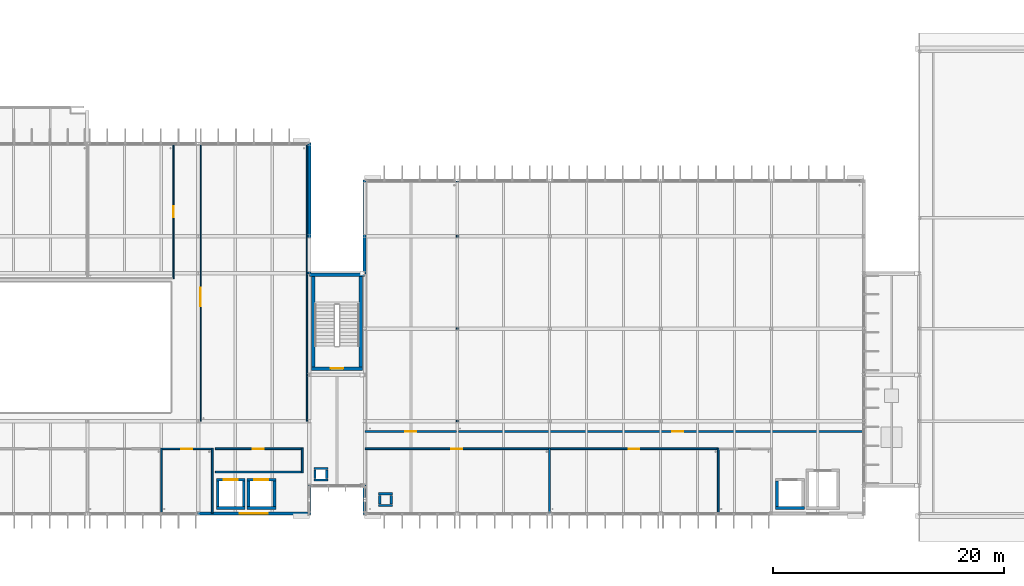
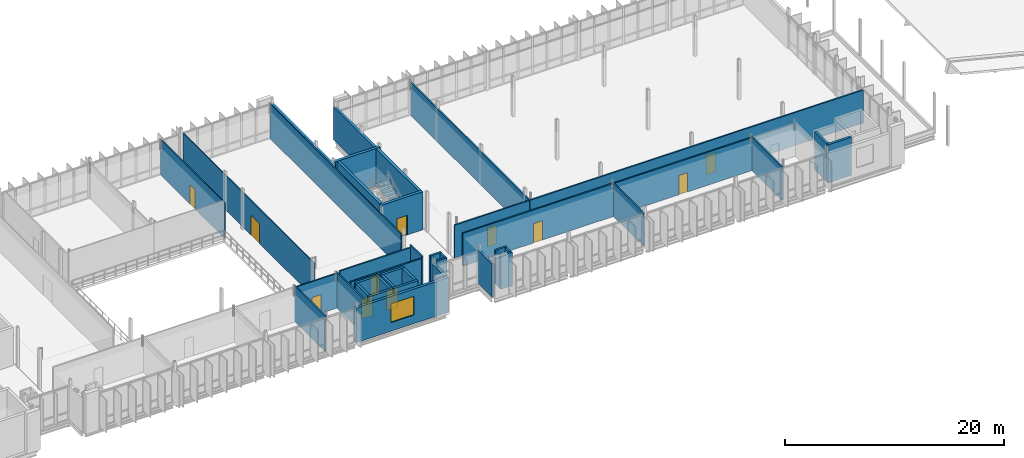
# One storey, part 53 of 93: 43 walls, 11 doors, 1 window, 12 openings.
"""IFC4 building model written with IfcOpenShell, lengths in metres."""

from ifc_helpers import new_model, si_unit, direction, frame, frame_2d, origin, place, context, subcontext, project, spatial, rectangle, extrude, material, layer, layer_set, type_object, element, fill, save


model = new_model("IFC4")

# Units and contexts
model_context = context("Model", 3, precision=1e-05, world=origin(), true_north=direction((0.0, 1.0)))
body_context = subcontext(model_context, "Body", "Model", "MODEL_VIEW")
ifc_project = project(units=[si_unit("LENGTHUNIT", "METRE"), si_unit("AREAUNIT", "SQUARE_METRE"), si_unit("VOLUMEUNIT", "CUBIC_METRE"), si_unit("PLANEANGLEUNIT", "RADIAN"), si_unit("MASSUNIT", "GRAM", prefix="KILO")], contexts=[model_context])

# Site, building, storey
site_placement = place(None, origin())
site = spatial("IfcSite", under=ifc_project, at=site_placement, CompositionType="ELEMENT")
building_placement = place(site_placement, origin())
building = spatial("IfcBuilding", under=site, at=building_placement, Name="Dunescarp Central Library", CompositionType="ELEMENT")
storey_placement = place(building_placement, frame((0.0, 0.0, 14.10009765625)))
storey = spatial("IfcBuildingStorey", under=building, at=storey_placement, Name="L03", CompositionType="ELEMENT", Elevation=14.10009765625)

# Wall
ifc_material_1 = material(Name="Gypsum plasterboard acoustic partition")
ifc_layer_1 = layer(ifc_material_1, 0.14990234375)
ifc_layer_set_1 = layer_set([ifc_layer_1], Name="Gypsum plasterboard acoustic partition")
wall_type_1 = type_object("IfcWallType", Name="ARC-PT-AC150", PredefinedType="PARTITIONING", material=ifc_layer_set_1)
wall_1_placement = place(storey_placement, frame((68.675048828125, 8.39990234375, 0.0), z_axis=(0.0, 0.0, 1.0), x_axis=(1.0, 0.0, 0.0)))
element("IfcWall", 1, at=wall_1_placement, inside=storey, type_object=wall_type_1, Name="L03 partition PT-L03-0206", PredefinedType="PARTITIONING", context=body_context, shape_type="SweptSolid", body=[
    extrude(rectangle(XDim=7.449951171875, YDim=0.14990234375, at=frame_2d((3.72509765625, 0.0))), origin(), (0.0, 0.0, 1.0), 4.014892578125),
])

# Wall, opening, door
wall_2_placement = place(storey_placement, frame((68.675048828125, 10.39990234375, 0.0), z_axis=(0.0, 0.0, 1.0), x_axis=(1.0, 0.0, 0.0)))
wall_2 = element("IfcWall", 2, at=wall_2_placement, inside=storey, type_object=wall_type_1, Name="L03 partition PT-L03-0207", PredefinedType="PARTITIONING", context=body_context, shape_type="SweptSolid", body=[
    extrude(rectangle(XDim=7.449951171875, YDim=0.14990234375, at=frame_2d((3.72509765625, 0.0))), origin(), (0.0, 0.0, 1.0), 4.014892578125),
])
opening_1_placement = place(wall_2_placement, frame((3.25, 0.0, 0.0)))
opening_1 = element("IfcOpeningElement", 3, at=opening_1_placement, cuts=wall_2, Name="Opening DR-L03-0083", PredefinedType="OPENING", context=body_context, shape_type="SweptSolid", body=[
    extrude(rectangle(XDim=0.949951171875, YDim=2.14990234375, at=frame_2d((0.47509765625, 1.074951171875))), frame((0.0, 0.0849609375, 0.0), z_axis=(0.0, -1.0, 0.0), x_axis=(1.0, 0.0, 0.0)), (0.0, 0.0, 1.0), 0.169921875),
])
ifc_material_2 = material(Name="Hardwood solid-core timber leaf", Category="wood")
door_type_1 = type_object("IfcDoorType", Name="ARC-DR-INT950", OperationType="NOTDEFINED", PredefinedType="DOOR", material=ifc_material_2)
door_1_placement = place(opening_1_placement, origin())
door_1 = element("IfcDoor", 4, at=door_1_placement, inside=storey, type_object=door_type_1, Name="L03 interior door DR-L03-0083", OperationType="SINGLE_SWING_LEFT", OverallHeight=2.14990234375, OverallWidth=0.949951171875, PredefinedType="DOOR", context=body_context, shape_type="SweptSolid", body=[
    extrude(rectangle(XDim=0.949951171875, YDim=2.14990234375, at=frame_2d((0.47509765625, 1.074951171875))), frame((0.0, 0.02490234375, 0.0), z_axis=(0.0, -1.0, 0.0), x_axis=(1.0, 0.0, 0.0)), (0.0, 0.0, 1.0), 0.050048828125),
])
fill(opening_1, door_1)

# Wall
wall_3_placement = place(storey_placement, frame((76.199951171875, 8.324951171875, 0.0), z_axis=(0.0, 0.0, 1.0), x_axis=(0.0, 1.0, 0.0)))
element("IfcWall", 5, at=wall_3_placement, inside=storey, type_object=wall_type_1, Name="L03 partition PT-L03-0208", PredefinedType="PARTITIONING", context=body_context, shape_type="SweptSolid", body=[
    extrude(rectangle(XDim=2.150146484375, YDim=0.14990234375, at=frame_2d((1.0751953125, 0.0))), origin(), (0.0, 0.0, 1.0), 4.25),
])

# Wall, opening, door
wall_4_placement = place(storey_placement, frame((81.639892578125, 10.39990234375, 0.0), z_axis=(0.0, 0.0, 1.0), x_axis=(1.0, 0.0, 0.0)))
wall_4 = element("IfcWall", 6, at=wall_4_placement, inside=storey, type_object=wall_type_1, Name="L03 partition PT-L03-0293", PredefinedType="PARTITIONING", context=body_context, shape_type="SweptSolid", body=[
    extrude(rectangle(XDim=15.885009765625, YDim=0.14990234375, at=frame_2d((7.9423828125, 0.0))), origin(), (0.0, 0.0, 1.0), 3.6748046875),
])
opening_2_placement = place(wall_4_placement, frame((7.468017578125, 0.0, 0.0)))
opening_2 = element("IfcOpeningElement", 7, at=opening_2_placement, cuts=wall_4, Name="Opening DR-L03-0123", PredefinedType="OPENING", context=body_context, shape_type="SweptSolid", body=[
    extrude(rectangle(XDim=0.949951171875, YDim=2.14990234375, at=frame_2d((0.47509765625, 1.074951171875))), frame((0.0, 0.0849609375, 0.0), z_axis=(0.0, -1.0, 0.0), x_axis=(1.0, 0.0, 0.0)), (0.0, 0.0, 1.0), 0.169921875),
])
door_2_placement = place(opening_2_placement, origin())
door_2 = element("IfcDoor", 8, at=door_2_placement, inside=storey, type_object=door_type_1, Name="L03 interior door DR-L03-0123", OperationType="SINGLE_SWING_RIGHT", OverallHeight=2.14990234375, OverallWidth=0.949951171875, PredefinedType="DOOR", context=body_context, shape_type="SweptSolid", body=[
    extrude(rectangle(XDim=0.949951171875, YDim=2.14990234375, at=frame_2d((0.47509765625, 1.074951171875))), frame((0.0, 0.02490234375, 0.0), z_axis=(0.0, -1.0, 0.0), x_axis=(1.0, 0.0, 0.0)), (0.0, 0.0, 1.0), 0.050048828125),
])
fill(opening_2, door_2)

# Wall
wall_5_placement = place(storey_placement, frame((97.60009765625, 4.840087890625, 0.0), z_axis=(0.0, 0.0, 1.0), x_axis=(0.0, 1.0, 0.0)))
element("IfcWall", 9, at=wall_5_placement, inside=storey, type_object=wall_type_1, Name="L03 partition PT-L03-0294", PredefinedType="PARTITIONING", context=body_context, shape_type="SweptSolid", body=[
    extrude(rectangle(XDim=5.635009765625, YDim=0.14990234375, at=frame_2d((2.8173828125, 0.0))), origin(), (0.0, 0.0, 1.0), 3.685791015625),
])

# Wall, opening, door
wall_6_placement = place(storey_placement, frame((97.60009765625, 10.39990234375, 0.0), z_axis=(0.0, 0.0, 1.0), x_axis=(1.0, 0.0, 0.0)))
wall_6 = element("IfcWall", 10, at=wall_6_placement, inside=storey, type_object=wall_type_1, Name="L03 partition PT-L03-0295", PredefinedType="PARTITIONING", context=body_context, shape_type="SweptSolid", body=[
    extrude(rectangle(XDim=14.599853515625, YDim=0.14990234375, at=frame_2d((7.2998046875, 0.0))), origin(), (0.0, 0.0, 1.0), 3.6748046875),
])
opening_3_placement = place(wall_6_placement, frame((6.85009765625, 0.0, 0.0)))
opening_3 = element("IfcOpeningElement", 11, at=opening_3_placement, cuts=wall_6, Name="Opening DR-L03-0124", PredefinedType="OPENING", context=body_context, shape_type="SweptSolid", body=[
    extrude(rectangle(XDim=0.89990234375, YDim=2.14990234375, at=frame_2d((0.449951171875, 1.074951171875))), frame((0.0, 0.0849609375, 0.0), z_axis=(0.0, -1.0, 0.0), x_axis=(1.0, 0.0, 0.0)), (0.0, 0.0, 1.0), 0.169921875),
])
door_type_2 = type_object("IfcDoorType", Name="ARC-DR-OFF900", OperationType="NOTDEFINED", PredefinedType="DOOR", material=ifc_material_2)
door_3_placement = place(opening_3_placement, origin())
door_3 = element("IfcDoor", 12, at=door_3_placement, inside=storey, type_object=door_type_2, Name="L03 interior door DR-L03-0124", OperationType="SINGLE_SWING_LEFT", OverallHeight=2.14990234375, OverallWidth=0.89990234375, PredefinedType="DOOR", context=body_context, shape_type="SweptSolid", body=[
    extrude(rectangle(XDim=0.89990234375, YDim=2.14990234375, at=frame_2d((0.449951171875, 1.074951171875))), frame((0.0, 0.02490234375, 0.0), z_axis=(0.0, -1.0, 0.0), x_axis=(1.0, 0.0, 0.0)), (0.0, 0.0, 1.0), 0.050048828125),
])
fill(opening_3, door_3)

wall_7_placement = place(storey_placement, frame((81.639892578125, 11.89990234375, 0.0), z_axis=(0.0, 0.0, 1.0), x_axis=(1.0, 0.0, 0.0)))
wall_7 = element("IfcWall", 13, at=wall_7_placement, inside=storey, type_object=wall_type_1, Name="L03 partition PT-L03-0296", PredefinedType="PARTITIONING", context=body_context, shape_type="SweptSolid", body=[
    extrude(rectangle(XDim=7.885009765625, YDim=0.14990234375, at=frame_2d((3.9423828125, 0.0))), origin(), (0.0, 0.0, 1.0), 3.6748046875),
])
opening_4_placement = place(wall_7_placement, frame((3.468017578125, 0.0, 0.0)))
opening_4 = element("IfcOpeningElement", 14, at=opening_4_placement, cuts=wall_7, Name="Opening DR-L03-0125", PredefinedType="OPENING", context=body_context, shape_type="SweptSolid", body=[
    extrude(rectangle(XDim=0.949951171875, YDim=2.14990234375, at=frame_2d((0.47509765625, 1.074951171875))), frame((0.0, 0.0849609375, 0.0), z_axis=(0.0, -1.0, 0.0), x_axis=(1.0, 0.0, 0.0)), (0.0, 0.0, 1.0), 0.169921875),
])
door_4_placement = place(opening_4_placement, origin())
door_4 = element("IfcDoor", 15, at=door_4_placement, inside=storey, type_object=door_type_1, Name="L03 interior door DR-L03-0125", OperationType="SINGLE_SWING_RIGHT", OverallHeight=2.14990234375, OverallWidth=0.949951171875, PredefinedType="DOOR", context=body_context, shape_type="SweptSolid", body=[
    extrude(rectangle(XDim=0.949951171875, YDim=2.14990234375, at=frame_2d((0.47509765625, 1.074951171875))), frame((0.0, 0.02490234375, 0.0), z_axis=(0.0, -1.0, 0.0), x_axis=(1.0, 0.0, 0.0)), (0.0, 0.0, 1.0), 0.050048828125),
])
fill(opening_4, door_4)

# Wall
wall_8_placement = place(storey_placement, frame((89.60009765625, 11.824951171875, 0.0), z_axis=(0.0, 0.0, 1.0), x_axis=(0.0, 1.0, 0.0)))
element("IfcWall", 16, at=wall_8_placement, inside=storey, type_object=wall_type_1, Name="L03 partition PT-L03-0297", PredefinedType="PARTITIONING", context=body_context, shape_type="SweptSolid", body=[
    extrude(rectangle(XDim=21.735107421875, YDim=0.14990234375, at=frame_2d((10.86767578125, 0.0))), origin(), (0.0, 0.0, 1.0), 3.685791015625),
])

# Wall, opening, door
wall_9_placement = place(storey_placement, frame((89.60009765625, 11.89990234375, 0.0), z_axis=(0.0, 0.0, 1.0), x_axis=(1.0, 0.0, 0.0)))
wall_9 = element("IfcWall", 17, at=wall_9_placement, inside=storey, type_object=wall_type_1, Name="L03 partition PT-L03-0298", PredefinedType="PARTITIONING", context=body_context, shape_type="SweptSolid", body=[
    extrude(rectangle(XDim=35.159912109375, YDim=0.14990234375, at=frame_2d((17.580078125, 0.0))), origin(), (0.0, 0.0, 1.0), 3.6748046875),
])
opening_5_placement = place(wall_9_placement, frame((18.60498046875, 0.0, 0.0)))
opening_5 = element("IfcOpeningElement", 18, at=opening_5_placement, cuts=wall_9, Name="Opening DR-L03-0126", PredefinedType="OPENING", context=body_context, shape_type="SweptSolid", body=[
    extrude(rectangle(XDim=0.949951171875, YDim=2.14990234375, at=frame_2d((0.47509765625, 1.074951171875))), frame((0.0, 0.0849609375, 0.0), z_axis=(0.0, -1.0, 0.0), x_axis=(1.0, 0.0, 0.0)), (0.0, 0.0, 1.0), 0.169921875),
])
door_5_placement = place(opening_5_placement, origin())
door_5 = element("IfcDoor", 19, at=door_5_placement, inside=storey, type_object=door_type_1, Name="L03 interior door DR-L03-0126", OperationType="SINGLE_SWING_LEFT", OverallHeight=2.14990234375, OverallWidth=0.949951171875, PredefinedType="DOOR", context=body_context, shape_type="SweptSolid", body=[
    extrude(rectangle(XDim=0.949951171875, YDim=2.14990234375, at=frame_2d((0.47509765625, 1.074951171875))), frame((0.0, 0.02490234375, 0.0), z_axis=(0.0, -1.0, 0.0), x_axis=(1.0, 0.0, 0.0)), (0.0, 0.0, 1.0), 0.050048828125),
])
fill(opening_5, door_5)

ifc_material_3 = material(Name="Solar-control laminated double glazing", Category="glass")
ifc_layer_2 = layer(ifc_material_3, 0.10009765625)
ifc_layer_set_2 = layer_set([ifc_layer_2], Name="Solar-control laminated double glazing")
wall_type_2 = type_object("IfcWallType", Name="ARC-PT-GLZ100", PredefinedType="MOVABLE", material=ifc_layer_set_2)
wall_10_placement = place(storey_placement, frame((67.39990234375, 12.800048828125, 0.0), z_axis=(0.0, 0.0, 1.0), x_axis=(0.0, 1.0, 0.0)))
wall_10 = element("IfcWall", 20, at=wall_10_placement, inside=storey, type_object=wall_type_2, Name="L03 partition PT-L03-0210", PredefinedType="MOVABLE", context=body_context, shape_type="SweptSolid", body=[
    extrude(rectangle(XDim=23.9599609375, YDim=0.10009765625, at=frame_2d((11.97998046875, 0.0))), origin(), (0.0, 0.0, 1.0), 3.86181640625),
])
opening_6_placement = place(wall_10_placement, frame((9.929931640625, 0.0, 0.0)))
opening_6 = element("IfcOpeningElement", 21, at=opening_6_placement, cuts=wall_10, Name="Opening DR-L03-0085", PredefinedType="OPENING", context=body_context, shape_type="SweptSolid", body=[
    extrude(rectangle(XDim=1.60009765625, YDim=2.25, at=frame_2d((0.800048828125, 1.125))), frame((0.0, 0.06005859375, 0.0), z_axis=(0.0, -1.0, 0.0), x_axis=(1.0, 0.0, 0.0)), (0.0, 0.0, 1.0), 0.1201171875),
])
ifc_material_4 = material(Name="Marine-grade anodised aluminium 6063-T6", Category="aluminium")
door_type_3 = type_object("IfcDoorType", Name="ARC-DR-DBL1600", OperationType="DOUBLE_DOOR_SINGLE_SWING", PredefinedType="DOOR", material=ifc_material_4)
door_6_placement = place(opening_6_placement, origin())
door_6 = element("IfcDoor", 22, at=door_6_placement, inside=storey, type_object=door_type_3, Name="L03 interior door DR-L03-0085", OperationType="DOUBLE_DOOR_SINGLE_SWING", OverallHeight=2.25, OverallWidth=1.60009765625, PredefinedType="DOOR", context=body_context, shape_type="SweptSolid", body=[
    extrude(rectangle(XDim=1.60009765625, YDim=2.25, at=frame_2d((0.800048828125, 1.125))), frame((0.0, 0.02490234375, 0.0), z_axis=(0.0, -1.0, 0.0), x_axis=(1.0, 0.0, 0.0)), (0.0, 0.0, 1.0), 0.050048828125),
])
fill(opening_6, door_6)

# Wall
wall_11_placement = place(storey_placement, frame((76.60009765625, 12.800048828125, 0.0), z_axis=(0.0, 0.0, 1.0), x_axis=(0.0, 1.0, 0.0)))
element("IfcWall", 23, at=wall_11_placement, inside=storey, type_object=wall_type_2, Name="L03 partition PT-L03-0211", PredefinedType="MOVABLE", context=body_context, shape_type="SweptSolid", body=[
    extrude(rectangle(XDim=23.9599609375, YDim=0.10009765625, at=frame_2d((11.97998046875, 0.0))), origin(), (0.0, 0.0, 1.0), 3.86181640625),
])

# Wall, opening, door
wall_12_placement = place(storey_placement, frame((65.050048828125, 25.10009765625, 0.0), z_axis=(0.0, 0.0, 1.0), x_axis=(0.0, 1.0, 0.0)))
wall_12 = element("IfcWall", 24, at=wall_12_placement, inside=storey, type_object=wall_type_2, Name="L03 partition PT-L03-0216", PredefinedType="MOVABLE", context=body_context, shape_type="SweptSolid", body=[
    extrude(rectangle(XDim=11.659912109375, YDim=0.10009765625, at=frame_2d((5.830078125, 0.0))), origin(), (0.0, 0.0, 1.0), 3.96484375),
])
opening_7_placement = place(wall_12_placement, frame((5.35498046875, 0.0, 0.0)))
opening_7 = element("IfcOpeningElement", 25, at=opening_7_placement, cuts=wall_12, Name="Opening DR-L03-0087", PredefinedType="OPENING", context=body_context, shape_type="SweptSolid", body=[
    extrude(rectangle(XDim=0.949951171875, YDim=2.14990234375, at=frame_2d((0.47509765625, 1.074951171875))), frame((0.0, 0.06005859375, 0.0), z_axis=(0.0, -1.0, 0.0), x_axis=(1.0, 0.0, 0.0)), (0.0, 0.0, 1.0), 0.1201171875),
])
door_7_placement = place(opening_7_placement, origin())
door_7 = element("IfcDoor", 26, at=door_7_placement, inside=storey, type_object=door_type_1, Name="L03 interior door DR-L03-0087", OperationType="SINGLE_SWING_LEFT", OverallHeight=2.14990234375, OverallWidth=0.949951171875, PredefinedType="DOOR", context=body_context, shape_type="SweptSolid", body=[
    extrude(rectangle(XDim=0.949951171875, YDim=2.14990234375, at=frame_2d((0.47509765625, 1.074951171875))), frame((0.0, 0.02490234375, 0.0), z_axis=(0.0, -1.0, 0.0), x_axis=(1.0, 0.0, 0.0)), (0.0, 0.0, 1.0), 0.050048828125),
])
fill(opening_7, door_7)

ifc_material_5 = material(Name="Autoclaved aerated concrete block", Category="concrete")
ifc_layer_3 = layer(ifc_material_5, 0.139892578125)
ifc_layer_set_3 = layer_set([ifc_layer_3], Name="Autoclaved aerated concrete block")
wall_type_3 = type_object("IfcWallType", Name="ARC-PT-WET140", PredefinedType="PARTITIONING", material=ifc_layer_set_3)
wall_13_placement = place(storey_placement, frame((64.070068359375, 10.39990234375, 0.0), z_axis=(0.0, 0.0, 1.0), x_axis=(1.0, 0.0, 0.0)))
wall_13 = element("IfcWall", 27, at=wall_13_placement, inside=storey, type_object=wall_type_3, Name="L03 partition PT-L03-0198", PredefinedType="PARTITIONING", context=body_context, shape_type="SweptSolid", body=[
    extrude(rectangle(XDim=4.260009765625, YDim=0.139892578125, at=frame_2d((2.1298828125, 0.0))), origin(), (0.0, 0.0, 1.0), 3.86181640625),
])
opening_8_placement = place(wall_13_placement, frame((1.655029296875, 0.0, 0.0)))
opening_8 = element("IfcOpeningElement", 28, at=opening_8_placement, cuts=wall_13, Name="Opening DR-L03-0079", PredefinedType="OPENING", context=body_context, shape_type="SweptSolid", body=[
    extrude(rectangle(XDim=0.949951171875, YDim=2.10009765625, at=frame_2d((0.47509765625, 1.050048828125))), frame((0.0, 0.080078125, 0.0), z_axis=(0.0, -1.0, 0.0), x_axis=(1.0, 0.0, 0.0)), (0.0, 0.0, 1.0), 0.159912109375),
])
door_type_4 = type_object("IfcDoorType", Name="ARC-DR-WC950", OperationType="NOTDEFINED", PredefinedType="DOOR", material=ifc_material_2)
door_8_placement = place(opening_8_placement, origin())
door_8 = element("IfcDoor", 29, at=door_8_placement, inside=storey, type_object=door_type_4, Name="L03 interior door DR-L03-0079", OperationType="SINGLE_SWING_LEFT", OverallHeight=2.10009765625, OverallWidth=0.949951171875, PredefinedType="DOOR", context=body_context, shape_type="SweptSolid", body=[
    extrude(rectangle(XDim=0.949951171875, YDim=2.10009765625, at=frame_2d((0.47509765625, 1.050048828125))), frame((0.0, 0.02490234375, 0.0), z_axis=(0.0, -1.0, 0.0), x_axis=(1.0, 0.0, 0.0)), (0.0, 0.0, 1.0), 0.050048828125),
])
fill(opening_8, door_8)

# Walls
for number, where, z_axis, x_axis, name in (
    (30, (64.0, 4.840087890625, 0.0), (0.0, 0.0, 1.0), (0.0, 1.0, 0.0), "L03 partition PT-L03-0199"),
    (31, (68.39990234375, 4.840087890625, 0.0), (0.0, 0.0, 1.0), (0.0, 1.0, 0.0), "L03 partition PT-L03-0200"),
):
    element("IfcWall", number, at=place(storey_placement, frame(where, z_axis=z_axis, x_axis=x_axis)), inside=storey, type_object=wall_type_3, Name=name, PredefinedType="PARTITIONING", context=body_context, shape_type="SweptSolid", body=[
        extrude(rectangle(XDim=5.6298828125, YDim=0.139892578125, at=frame_2d((2.81494140625, 0.0))), origin(), (0.0, 0.0, 1.0), 3.96484375),
    ])
wall_14_placement = place(storey_placement, frame((112.199951171875, 4.840087890625, 0.0), z_axis=(0.0, 0.0, 1.0), x_axis=(0.0, 1.0, 0.0)))
element("IfcWall", 32, at=wall_14_placement, inside=storey, type_object=wall_type_3, Name="L03 partition PT-L03-0291", PredefinedType="PARTITIONING", context=body_context, shape_type="SweptSolid", body=[
    extrude(rectangle(XDim=5.6298828125, YDim=0.139892578125, at=frame_2d((2.81494140625, 0.0))), origin(), (0.0, 0.0, 1.0), 3.73486328125),
])
ifc_material_6 = material(Name="Glass-fibre reinforced concrete GRC", Category="concrete")
ifc_layer_4 = layer(ifc_material_6, 0.260009765625)
ifc_layer_set_4 = layer_set([ifc_layer_4], Name="Glass-fibre reinforced concrete GRC")
wall_type_4 = type_object("IfcWallType", Name="ARC-WL-GRC260", PredefinedType="SOLIDWALL", material=ifc_layer_set_4)
wall_15_placement = place(storey_placement, frame((76.800048828125, 7.284912109375, 0.0), z_axis=(0.0, 0.0, 1.0), x_axis=(0.0, -1.0, 0.0)))
element("IfcWall", 33, at=wall_15_placement, inside=storey, type_object=wall_type_4, Name="L03 external wall EW-V2-052", PredefinedType="SOLIDWALL", context=body_context, shape_type="SweptSolid", body=[
    extrude(rectangle(XDim=2.56982421875, YDim=0.260009765625, at=frame_2d((1.284912109375, 0.0))), origin(), (0.0, 0.0, 1.0), 3.8349609375),
])
wall_16_placement = place(storey_placement, frame((76.800048828125, 36.885009765625, 0.0), z_axis=(0.0, 0.0, 1.0), x_axis=(0.0, -1.0, 0.0)))
element("IfcWall", 34, at=wall_16_placement, inside=storey, type_object=wall_type_4, Name="L03 external wall EW-V2-053", PredefinedType="SOLIDWALL", context=body_context, shape_type="SweptSolid", body=[
    extrude(rectangle(XDim=11.3701171875, YDim=0.260009765625, at=frame_2d((5.68505859375, 0.0))), origin(), (0.0, 0.0, 1.0), 3.8349609375),
])
wall_17_placement = place(storey_placement, frame((81.60009765625, 4.715087890625, 0.0), z_axis=(0.0, 0.0, 1.0), x_axis=(0.0, 1.0, 0.0)))
element("IfcWall", 35, at=wall_17_placement, inside=storey, type_object=wall_type_4, Name="L03 external wall EW-V3-083", PredefinedType="SOLIDWALL", context=body_context, shape_type="SweptSolid", body=[
    extrude(rectangle(XDim=2.56982421875, YDim=0.260009765625, at=frame_2d((1.284912109375, 0.0))), origin(), (0.0, 0.0, 1.0), 3.685791015625),
])
wall_18_placement = place(storey_placement, frame((81.60009765625, 25.514892578125, 0.0), z_axis=(0.0, 0.0, 1.0), x_axis=(0.0, 1.0, 0.0)))
element("IfcWall", 36, at=wall_18_placement, inside=storey, type_object=wall_type_4, Name="L03 external wall EW-V3-084", PredefinedType="SOLIDWALL", context=body_context, shape_type="SweptSolid", body=[
    extrude(rectangle(XDim=8.170166015625, YDim=0.260009765625, at=frame_2d((4.0849609375, 0.0))), origin(), (0.0, 0.0, 1.0), 3.685791015625),
])

# Wall, opening, window
ifc_layer_5 = layer(ifc_material_6, 0.280029296875)
ifc_layer_set_5 = layer_set([ifc_layer_5], Name="Glass-fibre reinforced concrete GRC")
wall_type_5 = type_object("IfcWallType", Name="ARC-WL-GRC280", PredefinedType="SOLIDWALL", material=ifc_layer_set_5)
wall_19_placement = place(storey_placement, frame((76.885009765625, 4.800048828125, 0.0), z_axis=(0.0, 0.0, 1.0), x_axis=(-1.0, 0.0, 0.0)))
wall_19 = element("IfcWall", 37, at=wall_19_placement, inside=storey, type_object=wall_type_5, Name="L03 external wall EW-V2-048", PredefinedType="SOLIDWALL", context=body_context, shape_type="SweptSolid", body=[
    extrude(rectangle(XDim=9.77001953125, YDim=0.280029296875, at=frame_2d((4.885009765625, 0.0))), origin(), (0.0, 0.0, 1.0), 3.86181640625),
])
opening_9_placement = place(wall_19_placement, frame((3.68505859375, 0.0, 0.949951171875)))
opening_9 = element("IfcOpeningElement", 38, at=opening_9_placement, cuts=wall_19, Name="Opening WN-011", PredefinedType="OPENING", context=body_context, shape_type="SweptSolid", body=[
    extrude(rectangle(XDim=2.39990234375, YDim=2.10009765625, at=frame_2d((1.199951171875, 1.050048828125))), frame((0.0, 0.14990234375, 0.0), z_axis=(0.0, -1.0, 0.0), x_axis=(1.0, 0.0, 0.0)), (0.0, 0.0, 1.0), 0.300048828125),
])
window_type = type_object("IfcWindowType", Name="ARC-WN-2400X2100", PartitioningType="SINGLE_PANEL", PredefinedType="WINDOW", material=ifc_material_3)
window_placement = place(opening_9_placement, origin())
window = element("IfcWindow", 39, at=window_placement, inside=storey, type_object=window_type, Name="L03 window WN-011", OverallHeight=2.10009765625, OverallWidth=2.39990234375, PartitioningType="SINGLE_PANEL", PredefinedType="WINDOW", context=body_context, shape_type="SweptSolid", body=[
    extrude(rectangle(XDim=2.39990234375, YDim=2.10009765625, at=frame_2d((1.199951171875, 1.050048828125))), frame((0.0, 0.030029296875, 0.0), z_axis=(0.0, -1.0, 0.0), x_axis=(1.0, 0.0, 0.0)), (0.0, 0.0, 1.0), 0.06005859375),
])
fill(opening_9, window)

# Walls
ifc_material_7 = material(Name="Concrete C35/45", Category="concrete")
ifc_layer_6 = layer(ifc_material_7, 0.199951171875)
ifc_layer_set_6 = layer_set([ifc_layer_6], Name="Concrete C35/45")
wall_type_6 = type_object("IfcWallType", Name="ARC-WL-RISER200", PredefinedType="PARTITIONING", material=ifc_layer_set_6)
for number, where, z_axis, x_axis, name in (
    (40, (84.0, 5.5, 0.0), (0.0, 0.0, 1.0), (-1.0, 0.0, 0.0), "L03 V3 duct shaft wall S"),
    (41, (82.800048828125, 6.5, 0.0), (0.0, 0.0, 1.0), (1.0, 0.0, 0.0), "L03 V3 duct shaft wall N"),
):
    element("IfcWall", number, at=place(storey_placement, frame(where, z_axis=z_axis, x_axis=x_axis)), inside=storey, type_object=wall_type_6, Name=name, PredefinedType="PARTITIONING", context=body_context, shape_type="SweptSolid", body=[
        extrude(rectangle(XDim=1.199951171875, YDim=0.199951171875, at=frame_2d((0.60009765625, 0.0))), origin(), (0.0, 0.0, 1.0), 3.75),
    ])
for number, where, z_axis, x_axis, name in (
    (42, (82.89990234375, 5.6201171875, 0.0), (0.0, 0.0, 1.0), (0.0, 1.0, 0.0), "L03 V3 duct shaft wall W"),
    (43, (83.89990234375, 6.3798828125, 0.0), (0.0, 0.0, 1.0), (0.0, -1.0, 0.0), "L03 V3 duct shaft wall E"),
):
    element("IfcWall", number, at=place(storey_placement, frame(where, z_axis=z_axis, x_axis=x_axis)), inside=storey, type_object=wall_type_6, Name=name, PredefinedType="PARTITIONING", context=body_context, shape_type="SweptSolid", body=[
        extrude(rectangle(XDim=0.759765625, YDim=0.199951171875, at=frame_2d((0.3798828125, 0.0))), origin(), (0.0, 0.0, 1.0), 3.75),
    ])
for number, where, z_axis, x_axis, name in (
    (44, (78.39990234375, 7.699951171875, 0.0), (0.0, 0.0, 1.0), (-1.0, 0.0, 0.0), "L03 GL2 duct shaft wall S"),
    (45, (77.199951171875, 8.699951171875, 0.0), (0.0, 0.0, 1.0), (1.0, 0.0, 0.0), "L03 GL2 duct shaft wall N"),
):
    element("IfcWall", number, at=place(storey_placement, frame(where, z_axis=z_axis, x_axis=x_axis)), inside=storey, type_object=wall_type_6, Name=name, PredefinedType="PARTITIONING", context=body_context, shape_type="SweptSolid", body=[
        extrude(rectangle(XDim=1.199951171875, YDim=0.199951171875, at=frame_2d((0.60009765625, 0.0))), origin(), (0.0, 0.0, 1.0), 3.75),
    ])
for number, where, z_axis, x_axis, name in (
    (46, (77.300048828125, 7.820068359375, 0.0), (0.0, 0.0, 1.0), (0.0, 1.0, 0.0), "L03 GL2 duct shaft wall W"),
    (47, (78.300048828125, 8.580078125, 0.0), (0.0, 0.0, 1.0), (0.0, -1.0, 0.0), "L03 GL2 duct shaft wall E"),
):
    element("IfcWall", number, at=place(storey_placement, frame(where, z_axis=z_axis, x_axis=x_axis)), inside=storey, type_object=wall_type_6, Name=name, PredefinedType="PARTITIONING", context=body_context, shape_type="SweptSolid", body=[
        extrude(rectangle(XDim=0.760009765625, YDim=0.199951171875, at=frame_2d((0.3798828125, 0.0))), origin(), (0.0, 0.0, 1.0), 3.75),
    ])
ifc_material_8 = material(Name="Concrete C40/50", Category="concrete")
ifc_layer_7 = layer(ifc_material_8, 0.25)
ifc_layer_set_7 = layer_set([ifc_layer_7], Name="Concrete C40/50")
wall_type_7 = type_object("IfcWallType", Name="STR-WL-CORE250", PredefinedType="SHEAR", material=ifc_layer_set_7)
wall_20_placement = place(storey_placement, frame((71.25, 5.27490234375, 0.0), z_axis=(0.0, 0.0, 1.0), x_axis=(-1.0, 0.0, 0.0)))
element("IfcWall", 48, at=wall_20_placement, inside=storey, type_object=wall_type_7, Name="L03 PL-1 lift shaft wall S", PredefinedType="SHEAR", context=body_context, shape_type="SweptSolid", body=[
    extrude(rectangle(XDim=2.5, YDim=0.25, at=frame_2d((1.25, 0.0))), origin(), (0.0, 0.0, 1.0), 4.25),
])

# Wall, opening, door
wall_21_placement = place(storey_placement, frame((68.75, 7.72509765625, 0.0), z_axis=(0.0, 0.0, 1.0), x_axis=(1.0, 0.0, 0.0)))
wall_21 = element("IfcWall", 49, at=wall_21_placement, inside=storey, type_object=wall_type_7, Name="L03 PL-1 lift shaft wall N", PredefinedType="SHEAR", context=body_context, shape_type="SweptSolid", body=[
    extrude(rectangle(XDim=2.5, YDim=0.25, at=frame_2d((1.25, 0.0))), origin(), (0.0, 0.0, 1.0), 4.25),
])
opening_10_placement = place(wall_21_placement, frame((0.64990234375, 0.0, 0.0)))
opening_10 = element("IfcOpeningElement", 50, at=opening_10_placement, cuts=wall_21, Name="Opening LD-PL-1-L03", PredefinedType="OPENING", context=body_context, shape_type="SweptSolid", body=[
    extrude(rectangle(XDim=1.199951171875, YDim=2.199951171875, at=frame_2d((0.60009765625, 1.10009765625))), frame((0.0, 0.135009765625, 0.0), z_axis=(0.0, -1.0, 0.0), x_axis=(1.0, 0.0, 0.0)), (0.0, 0.0, 1.0), 0.27001953125),
])
ifc_material_9 = material(Name="Stainless steel Grade 316L", Category="steel")
door_type_5 = type_object("IfcDoorType", Name="ARC-DR-LD1200", OperationType="DOUBLE_DOOR_SLIDING", PredefinedType="DOOR", material=ifc_material_9)
door_9_placement = place(opening_10_placement, origin())
door_9 = element("IfcDoor", 51, at=door_9_placement, inside=storey, type_object=door_type_5, Name="L03 PL-1 lift landing door", OperationType="DOUBLE_DOOR_SLIDING", OverallHeight=2.199951171875, OverallWidth=1.199951171875, PredefinedType="DOOR", context=body_context, shape_type="SweptSolid", body=[
    extrude(rectangle(XDim=1.199951171875, YDim=2.199951171875, at=frame_2d((0.60009765625, 1.10009765625))), frame((0.0, 0.02490234375, 0.0), z_axis=(0.0, -1.0, 0.0), x_axis=(1.0, 0.0, 0.0)), (0.0, 0.0, 1.0), 0.050048828125),
])
fill(opening_10, door_9)

# Walls
for number, where, z_axis, x_axis, name in (
    (52, (68.875, 5.39990234375, 0.0), (0.0, 0.0, 1.0), (0.0, 1.0, 0.0), "L03 PL-1 lift shaft wall W"),
    (53, (71.125, 7.60009765625, 0.0), (0.0, 0.0, 1.0), (0.0, -1.0, 0.0), "L03 PL-1 lift shaft wall E"),
):
    element("IfcWall", number, at=place(storey_placement, frame(where, z_axis=z_axis, x_axis=x_axis)), inside=storey, type_object=wall_type_7, Name=name, PredefinedType="SHEAR", context=body_context, shape_type="SweptSolid", body=[
        extrude(rectangle(XDim=2.2001953125, YDim=0.25, at=frame_2d((1.10009765625, 0.0))), origin(), (0.0, 0.0, 1.0), 4.25),
    ])
wall_22_placement = place(storey_placement, frame((73.89990234375, 5.27490234375, 0.0), z_axis=(0.0, 0.0, 1.0), x_axis=(-1.0, 0.0, 0.0)))
element("IfcWall", 54, at=wall_22_placement, inside=storey, type_object=wall_type_7, Name="L03 PL-2 lift shaft wall S", PredefinedType="SHEAR", context=body_context, shape_type="SweptSolid", body=[
    extrude(rectangle(XDim=2.5, YDim=0.25, at=frame_2d((1.25, 0.0))), origin(), (0.0, 0.0, 1.0), 4.25),
])

# Wall, opening, door
wall_23_placement = place(storey_placement, frame((71.39990234375, 7.72509765625, 0.0), z_axis=(0.0, 0.0, 1.0), x_axis=(1.0, 0.0, 0.0)))
wall_23 = element("IfcWall", 55, at=wall_23_placement, inside=storey, type_object=wall_type_7, Name="L03 PL-2 lift shaft wall N", PredefinedType="SHEAR", context=body_context, shape_type="SweptSolid", body=[
    extrude(rectangle(XDim=2.5, YDim=0.25, at=frame_2d((1.25, 0.0))), origin(), (0.0, 0.0, 1.0), 4.25),
])
opening_11_placement = place(wall_23_placement, frame((0.64990234375, 0.0, 0.0)))
opening_11 = element("IfcOpeningElement", 56, at=opening_11_placement, cuts=wall_23, Name="Opening LD-PL-2-L03", PredefinedType="OPENING", context=body_context, shape_type="SweptSolid", body=[
    extrude(rectangle(XDim=1.199951171875, YDim=2.199951171875, at=frame_2d((0.60009765625, 1.10009765625))), frame((0.0, 0.135009765625, 0.0), z_axis=(0.0, -1.0, 0.0), x_axis=(1.0, 0.0, 0.0)), (0.0, 0.0, 1.0), 0.27001953125),
])
door_10_placement = place(opening_11_placement, origin())
door_10 = element("IfcDoor", 57, at=door_10_placement, inside=storey, type_object=door_type_5, Name="L03 PL-2 lift landing door", OperationType="DOUBLE_DOOR_SLIDING", OverallHeight=2.199951171875, OverallWidth=1.199951171875, PredefinedType="DOOR", context=body_context, shape_type="SweptSolid", body=[
    extrude(rectangle(XDim=1.199951171875, YDim=2.199951171875, at=frame_2d((0.60009765625, 1.10009765625))), frame((0.0, 0.02490234375, 0.0), z_axis=(0.0, -1.0, 0.0), x_axis=(1.0, 0.0, 0.0)), (0.0, 0.0, 1.0), 0.050048828125),
])
fill(opening_11, door_10)

# Walls
for number, where, z_axis, x_axis, name in (
    (58, (71.52490234375, 5.39990234375, 0.0), (0.0, 0.0, 1.0), (0.0, 1.0, 0.0), "L03 PL-2 lift shaft wall W"),
    (59, (73.77490234375, 7.60009765625, 0.0), (0.0, 0.0, 1.0), (0.0, -1.0, 0.0), "L03 PL-2 lift shaft wall E"),
):
    element("IfcWall", number, at=place(storey_placement, frame(where, z_axis=z_axis, x_axis=x_axis)), inside=storey, type_object=wall_type_7, Name=name, PredefinedType="SHEAR", context=body_context, shape_type="SweptSolid", body=[
        extrude(rectangle(XDim=2.2001953125, YDim=0.25, at=frame_2d((1.10009765625, 0.0))), origin(), (0.0, 0.0, 1.0), 4.25),
    ])
wall_24_placement = place(storey_placement, frame((119.64990234375, 5.27490234375, 0.0), z_axis=(0.0, 0.0, 1.0), x_axis=(-1.0, 0.0, 0.0)))
element("IfcWall", 60, at=wall_24_placement, inside=storey, type_object=wall_type_7, Name="L03 PL-3 lift shaft wall S", PredefinedType="SHEAR", context=body_context, shape_type="SweptSolid", body=[
    extrude(rectangle(XDim=2.5, YDim=0.25, at=frame_2d((1.25, 0.0))), origin(), (0.0, 0.0, 1.0), 4.25),
])
wall_25_placement = place(storey_placement, frame((117.27490234375, 5.39990234375, 0.0), z_axis=(0.0, 0.0, 1.0), x_axis=(0.0, 1.0, 0.0)))
element("IfcWall", 61, at=wall_25_placement, inside=storey, type_object=wall_type_7, Name="L03 PL-3 lift shaft wall W", PredefinedType="SHEAR", context=body_context, shape_type="SweptSolid", body=[
    extrude(rectangle(XDim=2.2001953125, YDim=0.25, at=frame_2d((1.10009765625, 0.0))), origin(), (0.0, 0.0, 1.0), 4.25),
])

# Wall, opening, door
ifc_layer_8 = layer(ifc_material_8, 0.300048828125)
ifc_layer_set_8 = layer_set([ifc_layer_8], Name="Concrete C40/50")
wall_type_8 = type_object("IfcWallType", Name="STR-WL-CORE300", PredefinedType="SHEAR", material=ifc_layer_set_8)
wall_26_placement = place(storey_placement, frame((81.39990234375, 17.35009765625, 0.0), z_axis=(0.0, 0.0, 1.0), x_axis=(-1.0, 0.0, 0.0)))
wall_26 = element("IfcWall", 62, at=wall_26_placement, inside=storey, type_object=wall_type_8, Name="L03 ST-3 south core wall", PredefinedType="SHEAR", context=body_context, shape_type="SweptSolid", body=[
    extrude(rectangle(XDim=4.39990234375, YDim=0.300048828125, at=frame_2d((2.199951171875, 0.0))), origin(), (0.0, 0.0, 1.0), 4.25),
])
opening_12_placement = place(wall_26_placement, frame((1.64990234375, 0.0, 0.0)))
opening_12 = element("IfcOpeningElement", 63, at=opening_12_placement, cuts=wall_26, Name="Opening D-ST-3-L03", PredefinedType="OPENING", context=body_context, shape_type="SweptSolid", body=[
    extrude(rectangle(XDim=1.10009765625, YDim=2.199951171875, at=frame_2d((0.550048828125, 1.10009765625))), frame((0.0, 0.16015625, 0.0), z_axis=(0.0, -1.0, 0.0), x_axis=(1.0, 0.0, 0.0)), (0.0, 0.0, 1.0), 0.320068359375),
])
ifc_material_10 = material(Name="Galvanised steel FD120S", Category="steel")
door_type_6 = type_object("IfcDoorType", Name="ARC-DR-STAIR", OperationType="NOTDEFINED", PredefinedType="DOOR", material=ifc_material_10)
door_11_placement = place(opening_12_placement, origin())
door_11 = element("IfcDoor", 64, at=door_11_placement, inside=storey, type_object=door_type_6, Name="L03 ST-3 fire stair door", OperationType="SINGLE_SWING_RIGHT", OverallHeight=2.199951171875, OverallWidth=1.10009765625, PredefinedType="DOOR", context=body_context, shape_type="SweptSolid", body=[
    extrude(rectangle(XDim=1.10009765625, YDim=2.199951171875, at=frame_2d((0.550048828125, 1.10009765625))), frame((0.0, 0.02490234375, 0.0), z_axis=(0.0, -1.0, 0.0), x_axis=(1.0, 0.0, 0.0)), (0.0, 0.0, 1.0), 0.050048828125),
])
fill(opening_12, door_11)

# Walls
wall_27_placement = place(storey_placement, frame((76.820068359375, 25.449951171875, 0.0), z_axis=(0.0, 0.0, 1.0), x_axis=(1.0, 0.0, 0.0)))
element("IfcWall", 65, at=wall_27_placement, inside=storey, type_object=wall_type_8, Name="L03 ST-3 north core wall", PredefinedType="SHEAR", context=body_context, shape_type="SweptSolid", body=[
    extrude(rectangle(XDim=4.760009765625, YDim=0.300048828125, at=frame_2d((2.3798828125, 0.0))), origin(), (0.0, 0.0, 1.0), 4.25),
])
for number, where, z_axis, x_axis, name in (
    (66, (77.14990234375, 17.5, 0.0), (0.0, 0.0, 1.0), (0.0, 1.0, 0.0), "L03 ST-3 west core wall"),
    (67, (81.25, 25.300048828125, 0.0), (0.0, 0.0, 1.0), (0.0, -1.0, 0.0), "L03 ST-3 east core wall"),
):
    element("IfcWall", number, at=place(storey_placement, frame(where, z_axis=z_axis, x_axis=x_axis)), inside=storey, type_object=wall_type_8, Name=name, PredefinedType="SHEAR", context=body_context, shape_type="SweptSolid", body=[
        extrude(rectangle(XDim=7.800048828125, YDim=0.300048828125, at=frame_2d((3.89990234375, 0.0))), origin(), (0.0, 0.0, 1.0), 4.25),
    ])

save(model, "model.ifc")
